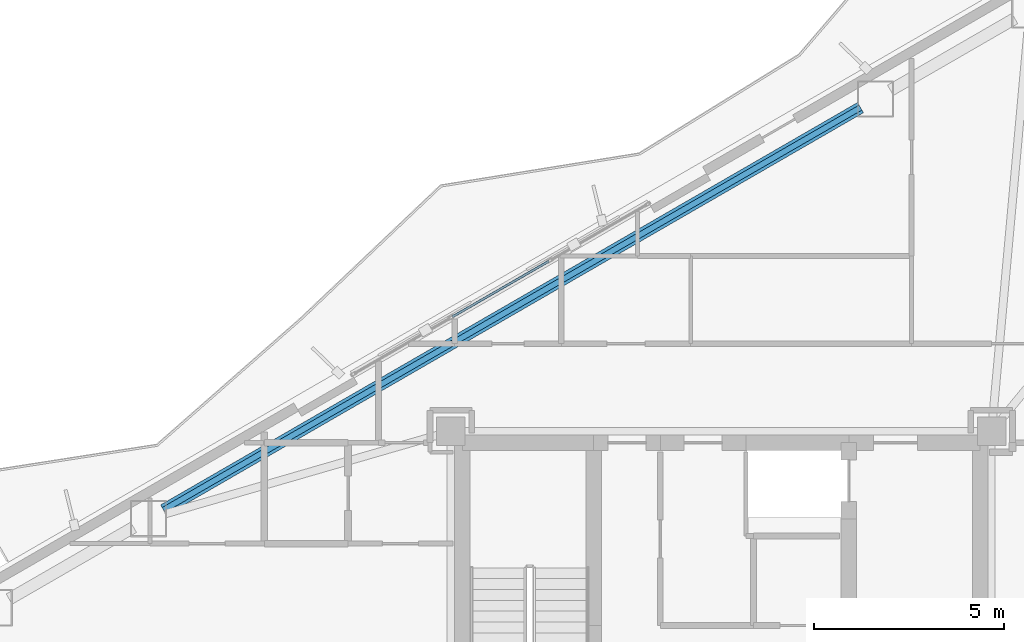
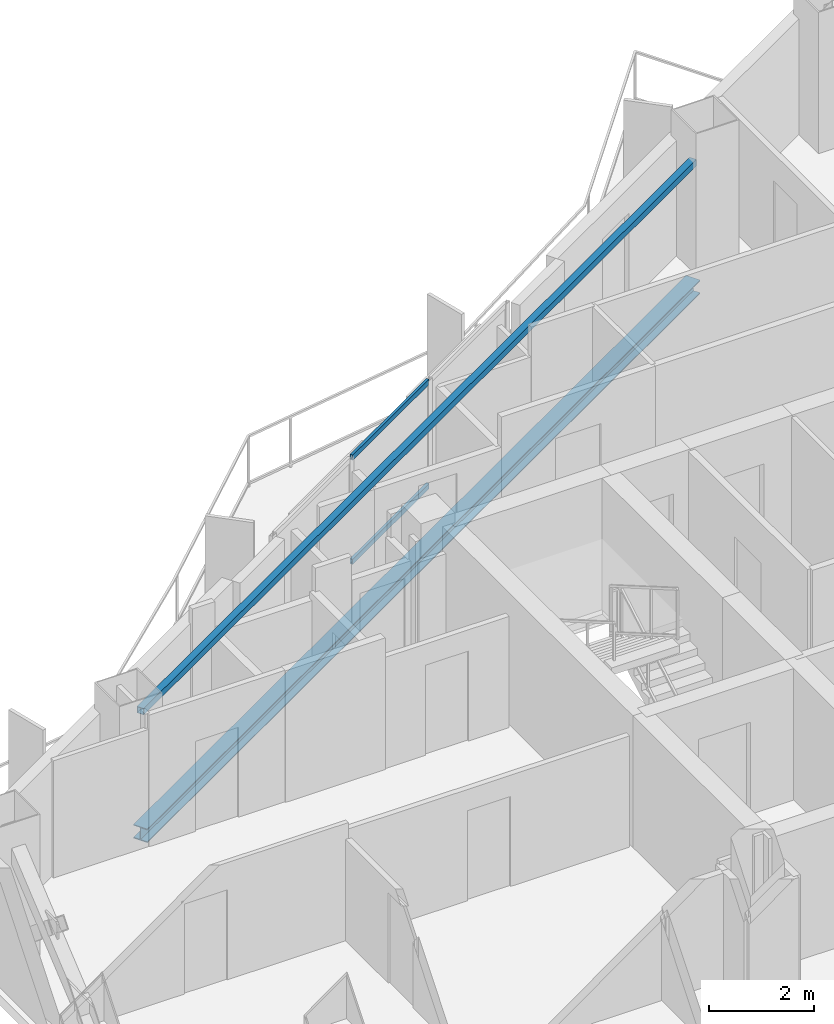
# One storey, part 9 of 21: 2 beams, 2 members, 1 element without a shape of its own.
"""IFC4 building model written with IfcOpenShell, lengths in metres."""

from ifc_helpers import new_model, si_unit, direction, frame, origin, origin_2d, place, context, subcontext, project, spatial, hollow_rectangle, i_section, extrude, material, layer, layer_set, material_profile, profile_set, type_object, element, aggregate, save


model = new_model("IFC4")

# Units and contexts
model_context = context("Model", 3, precision=1e-05, world=origin(), true_north=direction((0.0, 1.0)))
body_context = subcontext(model_context, "Body", "Model", "MODEL_VIEW")
ifc_project = project(units=[si_unit("LENGTHUNIT", "METRE"), si_unit("AREAUNIT", "SQUARE_METRE"), si_unit("VOLUMEUNIT", "CUBIC_METRE"), si_unit("PLANEANGLEUNIT", "RADIAN"), si_unit("MASSUNIT", "GRAM", prefix="KILO")], contexts=[model_context])

# Site, building, storey
site_placement = place(None, origin())
site = spatial("IfcSite", under=ifc_project, at=site_placement, CompositionType="ELEMENT")
building_placement = place(site_placement, origin())
building = spatial("IfcBuilding", under=site, at=building_placement, Name="Mersakhor Tower and Convention Hall", CompositionType="ELEMENT")
storey_placement = place(building_placement, frame((0.0, 0.0, 185.39990234375)))
storey = spatial("IfcBuildingStorey", under=building, at=storey_placement, Name="L51", CompositionType="ELEMENT", Elevation=185.39990234375)

# Beams
ifc_material_1 = material(Name="Steel S355", Category="steel")
ifc_material_profile_1 = material_profile(ifc_material_1, hollow_rectangle(XDim=0.14990234375, YDim=0.14990234375, WallThickness=0.010009765625, at=origin_2d()), Name="SHS 150x150x10")
ifc_profile_set_1 = profile_set([ifc_material_profile_1], Name="Steel S355")
beam_type_1 = type_object("IfcBeamType", Name="BM-GRT-SHS150", PredefinedType="USERDEFINED", material=ifc_profile_set_1)
beam_1_placement = place(storey_placement, frame((14.353759765625, 30.982421875, 2.47998046875), z_axis=(0.866028813665, 0.499994093867, 0.0), x_axis=(-0.499994093867, 0.866028813665, 0.0)))
element("IfcBeam", 1, at=beam_1_placement, inside=storey, type_object=beam_type_1, Name="L51 Facade Support Girt GRT-F1", ObjectType="GIRT", PredefinedType="USERDEFINED", context=body_context, shape_type="SweptSolid", body=[
    extrude(hollow_rectangle(XDim=0.14990234375, YDim=0.14990234375, WallThickness=0.010009765625, at=origin_2d()), origin(), (0.0, 0.0, 1.0), 21.135498046875),
])
ifc_material_2 = material(Name="Steel S355", Category="steel")
ifc_material_profile_2 = material_profile(ifc_material_2, i_section(OverallWidth=0.30908203125, OverallDepth=0.320556640625, WebThickness=0.013916015625, FlangeThickness=0.021728515625, at=origin_2d()), Name="UC 305x305x137")
ifc_profile_set_2 = profile_set([ifc_material_profile_2], Name="Steel S355")
beam_type_2 = type_object("IfcBeamType", Name="BM-SPD-UC305", PredefinedType="SPANDREL", material=ifc_profile_set_2)
beam_2_placement = place(storey_placement, frame((14.353759765625, 30.982421875, -0.39013671875), z_axis=(0.866028813665, 0.499994093867, 0.0), x_axis=(-0.499994093867, 0.866028813665, 0.0)))
element("IfcBeam", 2, at=beam_2_placement, inside=storey, type_object=beam_type_2, Name="L51 Perimeter Spandrel Beam SPB-02", PredefinedType="SPANDREL", context=body_context, shape_type="SweptSolid", body=[
    extrude(i_section(OverallWidth=0.30908203125, OverallDepth=0.320556640625, WebThickness=0.013916015625, FlangeThickness=0.021728515625, at=origin_2d()), origin(), (0.0, 0.0, 1.0), 21.135498046875),
])

# Curtain wall, members
ifc_material_3 = material(Name="Dark solar low-E aluminium curtain wall", Category="aluminium")
ifc_layer = layer(ifc_material_3, 0.169921875)
ifc_layer_set = layer_set([ifc_layer], Name="Dark solar low-E aluminium curtain wall")
curtain_wall_type = type_object("IfcCurtainWallType", Name="CW-SYS-02", PredefinedType="USERDEFINED", material=ifc_layer_set)
curtain_wall_placement = place(storey_placement, origin())
curtain_wall = element("IfcCurtainWall", 3, at=curtain_wall_placement, inside=storey, type_object=curtain_wall_type, Name="L51 Dark-Glass Curtain Wall F1-B2", ObjectType="CURTAIN WALL", PredefinedType="USERDEFINED")
ifc_material_4 = material(Name="Anodised aluminium EN AW-6063 T6", Category="aluminium")
ifc_material_profile_3 = material_profile(ifc_material_4, hollow_rectangle(XDim=0.06005859375, YDim=0.1201171875, WallThickness=0.0048828125, at=origin_2d()), Name="RHS 120x60x5")
ifc_profile_set_3 = profile_set([ifc_material_profile_3], Name="Anodised aluminium EN AW-6063 T6")
member_type = type_object("IfcMemberType", Name="CWT-120x60", PredefinedType="USERDEFINED", material=ifc_profile_set_3)
member_1_placement = place(storey_placement, frame((21.939453125, 36.0546875, 0.22998046875), z_axis=(0.866004860328, 0.500035580622, 0.0), x_axis=(-0.500035580622, 0.866004860328, 0.0)))
member_1 = element("IfcMember", 4, at=member_1_placement, type_object=member_type, Name="CW-02 transom 2.1", ObjectType="TRANSOM", PredefinedType="USERDEFINED", context=body_context, shape_type="SweptSolid", body=[
    extrude(hollow_rectangle(XDim=0.06005859375, YDim=0.1201171875, WallThickness=0.0048828125, at=origin_2d()), origin(), (0.0, 0.0, 1.0), 2.924560546875),
])
member_2_placement = place(storey_placement, frame((21.939453125, 36.0546875, 2.66015625), z_axis=(0.866004860328, 0.500035580622, 0.0), x_axis=(-0.500035580622, 0.866004860328, 0.0)))
member_2 = element("IfcMember", 5, at=member_2_placement, type_object=member_type, Name="CW-02 transom 2.2", ObjectType="TRANSOM", PredefinedType="USERDEFINED", context=body_context, shape_type="SweptSolid", body=[
    extrude(hollow_rectangle(XDim=0.06005859375, YDim=0.1201171875, WallThickness=0.0048828125, at=origin_2d()), origin(), (0.0, 0.0, 1.0), 2.924560546875),
])
aggregate(curtain_wall, [member_1, member_2])

save(model, "model.ifc")
